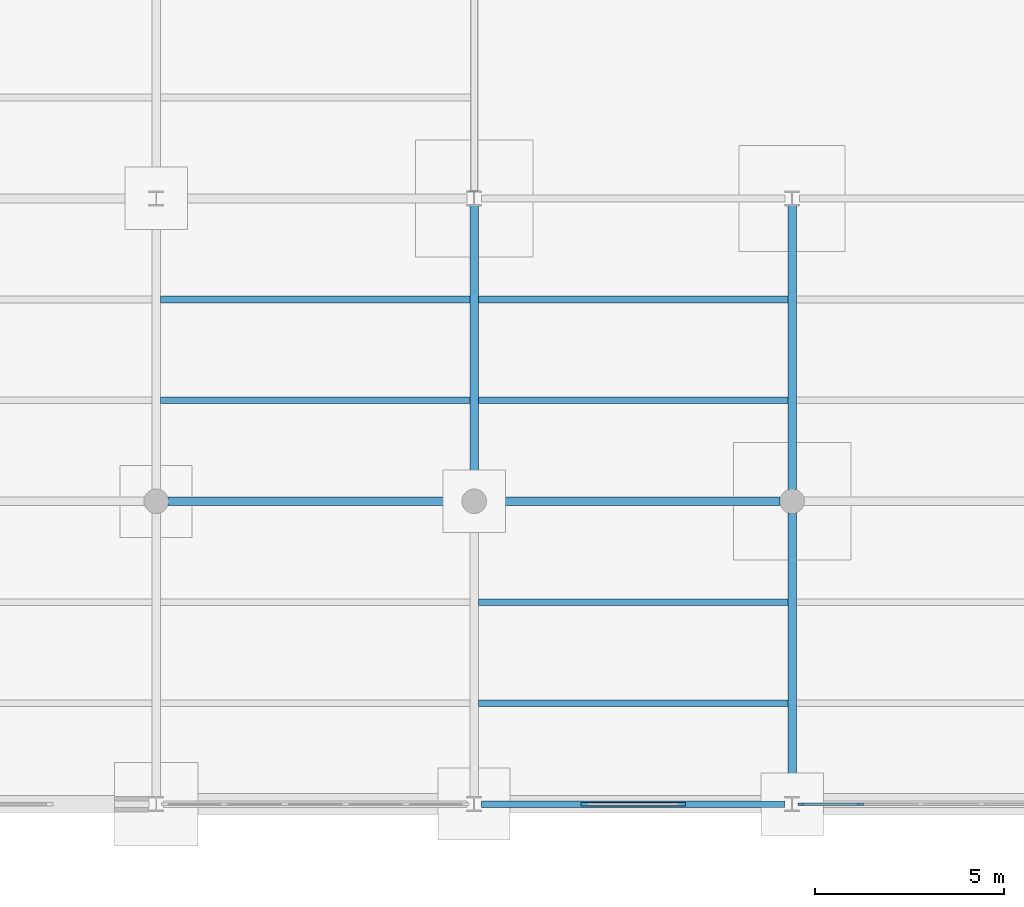
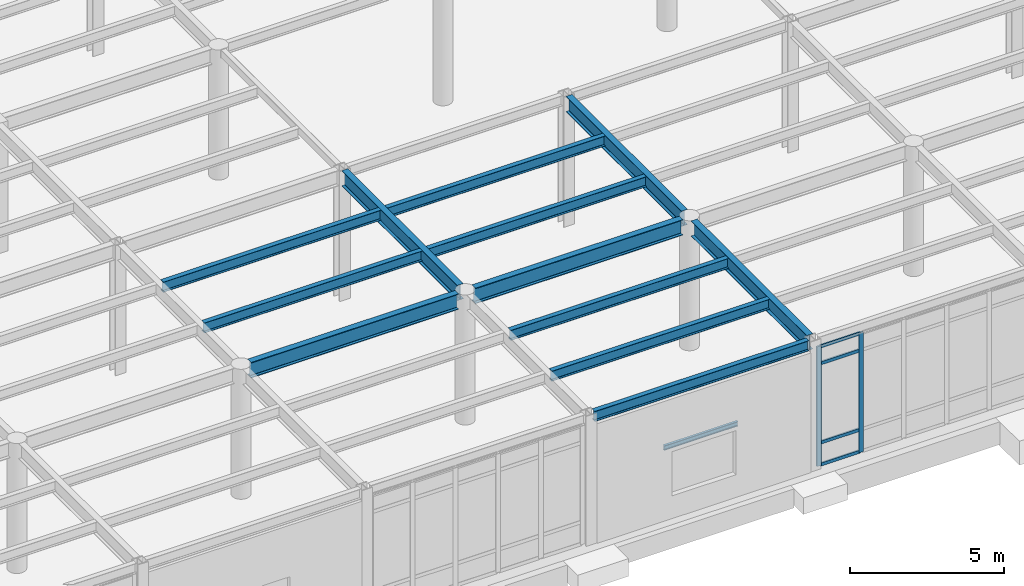
# One storey, part 32 of 138: 13 beams, 6 members, 1 element without a shape of its own.
"""IFC4 building model written with IfcOpenShell, lengths in metres."""

from ifc_helpers import new_model, si_unit, direction, frame, origin, origin_2d, place, context, subcontext, project, spatial, rectangle, i_section, extrude, material, layer, layer_set, material_profile, profile_set, type_object, element, aggregate, save


model = new_model("IFC4")

# Units and contexts
model_context = context("Model", 3, precision=1e-05, world=origin(), true_north=direction((0.0, 1.0)))
body_context = subcontext(model_context, "Body", "Model", "MODEL_VIEW")
ifc_project = project(units=[si_unit("LENGTHUNIT", "METRE"), si_unit("AREAUNIT", "SQUARE_METRE"), si_unit("VOLUMEUNIT", "CUBIC_METRE"), si_unit("PLANEANGLEUNIT", "RADIAN"), si_unit("MASSUNIT", "GRAM", prefix="KILO")], contexts=[model_context])

# Site, building, storey
site_placement = place(None, origin())
site = spatial("IfcSite", under=ifc_project, at=site_placement, CompositionType="ELEMENT")
building_placement = place(site_placement, origin())
building = spatial("IfcBuilding", under=site, at=building_placement, Name="Kranzveld Transit Interchange", CompositionType="ELEMENT")
storey_placement = place(building_placement, origin())
storey = spatial("IfcBuildingStorey", under=building, at=storey_placement, Name="L00", CompositionType="ELEMENT", Elevation=0.0)

# Curtain wall, members
ifc_material_1 = material(Name="Bronze-anodised thermally broken aluminium", Category="aluminium")
ifc_layer = layer(ifc_material_1, 0.155029296875)
ifc_layer_set = layer_set([ifc_layer], Name="Bronze-anodised thermally broken aluminium")
curtain_wall_type = type_object("IfcCurtainWallType", Name="Operations Courtyard Glazed Screen CW-6", PredefinedType="USERDEFINED", material=ifc_layer_set)
curtain_wall_placement = place(storey_placement, origin())
curtain_wall = element("IfcCurtainWall", 1, at=curtain_wall_placement, inside=storey, type_object=curtain_wall_type, Name="L00 Curtain Wall 12/A-13/A", ObjectType="CURTAIN WALL", PredefinedType="USERDEFINED")
ifc_material_2 = material(Name="Bronze-anodised thermally broken aluminium", Category="aluminium")
ifc_material_profile_1 = material_profile(ifc_material_2, rectangle(XDim=0.06494140625, YDim=0.1650390625, at=origin_2d()), Name="ALU MULLION 65x165")
ifc_profile_set_1 = profile_set([ifc_material_profile_1], Name="Bronze-anodised thermally broken aluminium")
member_type_1 = type_object("IfcMemberType", Name="Curtain Wall Mullion 65x165 Alu", PredefinedType="MULLION", material=ifc_profile_set_1)
member_1_placement = place(storey_placement, frame((92.632080078125, 0.0, 0.0), z_axis=(0.0, 0.0, 1.0), x_axis=(0.0, 1.0, 0.0)))
member_1 = element("IfcMember", 2, at=member_1_placement, type_object=member_type_1, Name="CW-6 mullion 1", PredefinedType="MULLION", context=body_context, shape_type="SweptSolid", body=[
    extrude(rectangle(XDim=0.06494140625, YDim=0.1650390625, at=origin_2d()), origin(), (0.0, 0.0, 1.0), 4.740478515625),
])
member_2_placement = place(storey_placement, frame((94.19970703125, 0.0, 0.0), z_axis=(0.0, 0.0, 1.0), x_axis=(0.0, 1.0, 0.0)))
member_2 = element("IfcMember", 3, at=member_2_placement, type_object=member_type_1, Name="CW-6 mullion 2", PredefinedType="MULLION", context=body_context, shape_type="SweptSolid", body=[
    extrude(rectangle(XDim=0.06494140625, YDim=0.1650390625, at=origin_2d()), origin(), (0.0, 0.0, 1.0), 4.740478515625),
])
ifc_material_3 = material(Name="Bronze-anodised thermally broken aluminium", Category="aluminium")
ifc_material_profile_2 = material_profile(ifc_material_3, rectangle(XDim=0.06005859375, YDim=0.125, at=origin_2d()), Name="ALU TRANSOM 60x125")
ifc_profile_set_2 = profile_set([ifc_material_profile_2], Name="Bronze-anodised thermally broken aluminium")
member_type_2 = type_object("IfcMemberType", Name="Curtain Wall Transom 60x125 Alu", PredefinedType="USERDEFINED", material=ifc_profile_set_2)
member_3_placement = place(storey_placement, frame((92.66455078125, 0.0, 0.030029296875), z_axis=(1.0, 0.0, 0.0), x_axis=(0.0, 1.0, 0.0)))
member_3 = element("IfcMember", 4, at=member_3_placement, type_object=member_type_2, Name="CW-6 transom 1.1", ObjectType="TRANSOM", PredefinedType="USERDEFINED", context=body_context, shape_type="SweptSolid", body=[
    extrude(rectangle(XDim=0.06005859375, YDim=0.125, at=origin_2d()), origin(), (0.0, 0.0, 1.0), 1.502685546875),
])
member_4_placement = place(storey_placement, frame((92.66455078125, 0.0, 0.89990234375), z_axis=(1.0, 0.0, 0.0), x_axis=(0.0, 1.0, 0.0)))
member_4 = element("IfcMember", 5, at=member_4_placement, type_object=member_type_2, Name="CW-6 transom 1.2", ObjectType="TRANSOM", PredefinedType="USERDEFINED", context=body_context, shape_type="SweptSolid", body=[
    extrude(rectangle(XDim=0.06005859375, YDim=0.125, at=origin_2d()), origin(), (0.0, 0.0, 1.0), 1.502685546875),
])
member_5_placement = place(storey_placement, frame((92.66455078125, 0.0, 4.04052734375), z_axis=(1.0, 0.0, 0.0), x_axis=(0.0, 1.0, 0.0)))
member_5 = element("IfcMember", 6, at=member_5_placement, type_object=member_type_2, Name="CW-6 transom 1.3", ObjectType="TRANSOM", PredefinedType="USERDEFINED", context=body_context, shape_type="SweptSolid", body=[
    extrude(rectangle(XDim=0.06005859375, YDim=0.125, at=origin_2d()), origin(), (0.0, 0.0, 1.0), 1.502685546875),
])
member_6_placement = place(storey_placement, frame((92.66455078125, 0.0, 4.710693359375), z_axis=(1.0, 0.0, 0.0), x_axis=(0.0, 1.0, 0.0)))
member_6 = element("IfcMember", 7, at=member_6_placement, type_object=member_type_2, Name="CW-6 transom 1.4", ObjectType="TRANSOM", PredefinedType="USERDEFINED", context=body_context, shape_type="SweptSolid", body=[
    extrude(rectangle(XDim=0.06005859375, YDim=0.125, at=origin_2d()), origin(), (0.0, 0.0, 1.0), 1.502685546875),
])
aggregate(curtain_wall, [member_1, member_2, member_3, member_4, member_5, member_6])

# Beams
ifc_material_4 = material(Name="Steel S355JR", Category="steel")
ifc_material_profile_3 = material_profile(ifc_material_4, i_section(OverallWidth=0.1787109375, OverallDepth=0.409423828125, WebThickness=0.0087890625, FlangeThickness=0.014404296875, FilletRadius=0.01025390625, at=origin_2d()), Name="UB 406x178x67")
ifc_profile_set_3 = profile_set([ifc_material_profile_3], Name="Steel S355JR")
beam_type_1 = type_object("IfcBeamType", Name="Facade Spandrel UB 406x178x67 S355JR", PredefinedType="SPANDREL", material=ifc_profile_set_3)
beam_1_placement = place(storey_placement, frame((84.189453125, 0.0, 4.9453125), z_axis=(1.0, 0.0, 0.0), x_axis=(0.0, 1.0, 0.0)))
element("IfcBeam", 8, at=beam_1_placement, inside=storey, type_object=beam_type_1, Name="L00 Girder 11-12/A", PredefinedType="SPANDREL", context=body_context, shape_type="SweptSolid", body=[
    extrude(i_section(OverallWidth=0.1787109375, OverallDepth=0.409423828125, WebThickness=0.0087890625, FlangeThickness=0.014404296875, FilletRadius=0.01025390625, at=origin_2d()), origin(), (0.0, 0.0, 1.0), 8.02099609375),
])
ifc_material_5 = material(Name="Steel S355JR", Category="steel")
ifc_material_profile_4 = material_profile(ifc_material_5, i_section(OverallWidth=0.177734375, OverallDepth=0.402587890625, WebThickness=0.0078125, FlangeThickness=0.010986328125, FilletRadius=0.01025390625, at=origin_2d()), Name="UB 406x178x54")
ifc_profile_set_4 = profile_set([ifc_material_profile_4], Name="Steel S355JR")
beam_type_2 = type_object("IfcBeamType", Name="Floor Joist UB 406x178x54 S355JR", PredefinedType="JOIST", material=ifc_profile_set_4)
for number, where, z_axis, x_axis, name in (
    (9, (75.716064453125, 10.666748046875, 4.94873046875), (1.0, 0.0, 0.0), (0.0, 1.0, 0.0), "L00 Secondary Joist 10-11/B.1"),
    (10, (75.716064453125, 13.333251953125, 4.94873046875), (1.0, 0.0, 0.0), (0.0, 1.0, 0.0), "L00 Secondary Joist 10-11/B.2"),
    (11, (84.1162109375, 2.666748046875, 4.94873046875), (1.0, 0.0, 0.0), (0.0, 1.0, 0.0), "L00 Secondary Joist 11-12/A.1"),
    (12, (84.1162109375, 5.333251953125, 4.94873046875), (1.0, 0.0, 0.0), (0.0, 1.0, 0.0), "L00 Secondary Joist 11-12/A.2"),
    (13, (84.1162109375, 10.666748046875, 4.94873046875), (1.0, 0.0, 0.0), (0.0, 1.0, 0.0), "L00 Secondary Joist 11-12/B.1"),
    (14, (84.1162109375, 13.333251953125, 4.94873046875), (1.0, 0.0, 0.0), (0.0, 1.0, 0.0), "L00 Secondary Joist 11-12/B.2"),
):
    element("IfcBeam", number, at=place(storey_placement, frame(where, z_axis=z_axis, x_axis=x_axis)), inside=storey, type_object=beam_type_2, Name=name, PredefinedType="JOIST", context=body_context, shape_type="SweptSolid", body=[
        extrude(i_section(OverallWidth=0.177734375, OverallDepth=0.402587890625, WebThickness=0.0078125, FlangeThickness=0.010986328125, FilletRadius=0.01025390625, at=origin_2d()), origin(), (0.0, 0.0, 1.0), 8.167724609375),
    ])
ifc_material_6 = material(Name="Steel S355JR", Category="steel")
ifc_material_profile_5 = material_profile(ifc_material_6, i_section(OverallWidth=0.228271484375, OverallDepth=0.607666015625, WebThickness=0.010986328125, FlangeThickness=0.017333984375, FilletRadius=0.0126953125, at=origin_2d()), Name="UB 610x229x113")
ifc_profile_set_5 = profile_set([ifc_material_profile_5], Name="Steel S355JR")
beam_type_3 = type_object("IfcBeamType", Name="Girder Steel UB 610x229x113 S355JR", PredefinedType="BEAM", material=ifc_profile_set_5)
for number, where, z_axis, x_axis, name in (
    (15, (84.0, 8.31494140625, 4.84619140625), (0.0, 1.0, 0.0), (-1.0, 0.0, 0.0), "L00 Girder 11/B-C"),
    (16, (92.39990234375, 0.186767578125, 4.84619140625), (0.0, 1.0, 0.0), (-1.0, 0.0, 0.0), "L00 Girder 12/A-B"),
    (17, (92.39990234375, 8.31494140625, 4.84619140625), (0.0, 1.0, 0.0), (-1.0, 0.0, 0.0), "L00 Girder 12/B-C"),
):
    element("IfcBeam", number, at=place(storey_placement, frame(where, z_axis=z_axis, x_axis=x_axis)), inside=storey, type_object=beam_type_3, Name=name, PredefinedType="BEAM", context=body_context, shape_type="SweptSolid", body=[
        extrude(i_section(OverallWidth=0.228271484375, OverallDepth=0.607666015625, WebThickness=0.010986328125, FlangeThickness=0.017333984375, FilletRadius=0.0126953125, at=origin_2d()), origin(), (0.0, 0.0, 1.0), 7.498291015625),
    ])
ifc_material_7 = material(Name="Steel S355JR", Category="steel")
ifc_material_profile_6 = material_profile(ifc_material_7, i_section(OverallWidth=0.230224609375, OverallDepth=0.6171875, WebThickness=0.01318359375, FlangeThickness=0.022216796875, FilletRadius=0.0126953125, at=origin_2d()), Name="UB 610x229x140")
ifc_profile_set_6 = profile_set([ifc_material_profile_6], Name="Steel S355JR")
beam_type_4 = type_object("IfcBeamType", Name="Girder Steel UB 610x229x140 S355JR", PredefinedType="BEAM", material=ifc_profile_set_6)
for number, where, z_axis, x_axis, name in (
    (18, (75.9150390625, 8.0, 4.84130859375), (1.0, 0.0, 0.0), (0.0, 1.0, 0.0), "L00 Girder 10-11/B"),
    (19, (84.31494140625, 8.0, 4.84130859375), (1.0, 0.0, 0.0), (0.0, 1.0, 0.0), "L00 Girder 11-12/B"),
):
    element("IfcBeam", number, at=place(storey_placement, frame(where, z_axis=z_axis, x_axis=x_axis)), inside=storey, type_object=beam_type_4, Name=name, PredefinedType="BEAM", context=body_context, shape_type="SweptSolid", body=[
        extrude(i_section(OverallWidth=0.230224609375, OverallDepth=0.6171875, WebThickness=0.01318359375, FlangeThickness=0.022216796875, FilletRadius=0.0126953125, at=origin_2d()), origin(), (0.0, 0.0, 1.0), 7.77001953125),
    ])
ifc_material_8 = material(Name="Steel S355JR", Category="steel")
ifc_material_profile_7 = material_profile(ifc_material_8, i_section(OverallWidth=0.091064453125, OverallDepth=0.179931640625, WebThickness=0.00537109375, FlangeThickness=0.008056640625, FilletRadius=0.009033203125, at=origin_2d()), Name="IPE 180")
ifc_profile_set_7 = profile_set([ifc_material_profile_7], Name="Steel S355JR")
beam_type_5 = type_object("IfcBeamType", Name="Opening Lintel IPE 180 S355JR", PredefinedType="LINTEL", material=ifc_profile_set_7)
beam_2_placement = place(storey_placement, frame((86.820068359375, 0.0, 2.7451171875), z_axis=(1.0, 0.0, 0.0), x_axis=(0.0, 1.0, 0.0)))
element("IfcBeam", 20, at=beam_2_placement, inside=storey, type_object=beam_type_5, Name="L00 Window Lintel 047", PredefinedType="LINTEL", context=body_context, shape_type="SweptSolid", body=[
    extrude(i_section(OverallWidth=0.091064453125, OverallDepth=0.179931640625, WebThickness=0.00537109375, FlangeThickness=0.008056640625, FilletRadius=0.009033203125, at=origin_2d()), origin(), (0.0, 0.0, 1.0), 2.760009765625),
])

save(model, "model.ifc")
